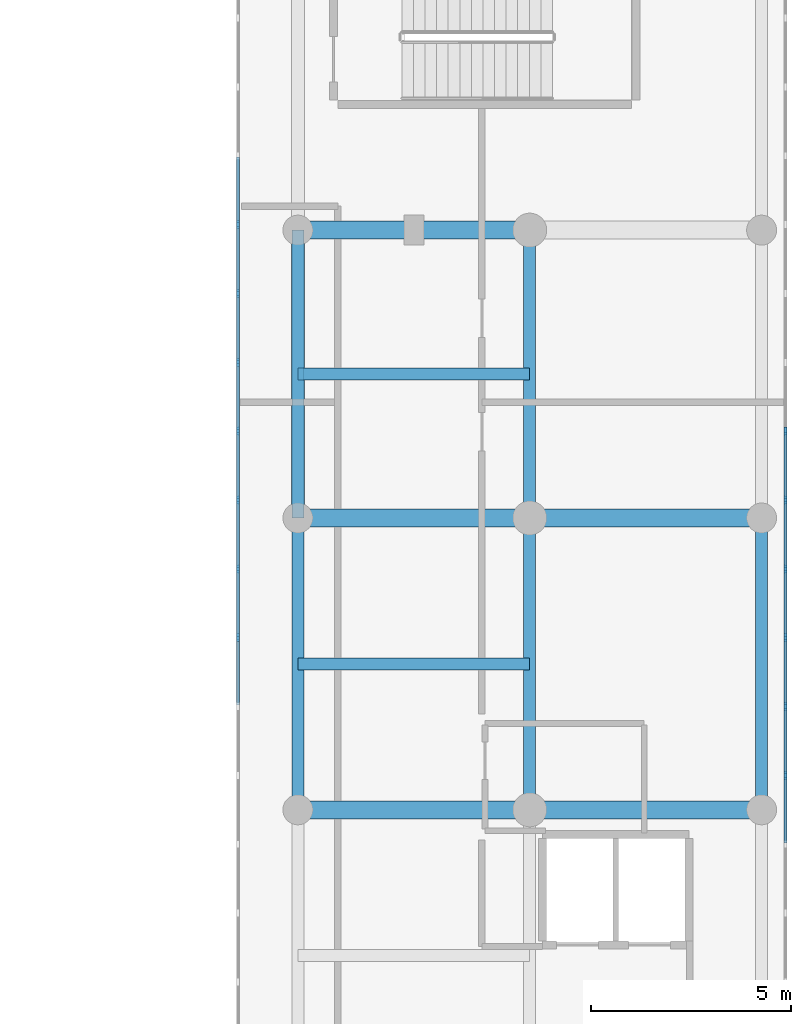
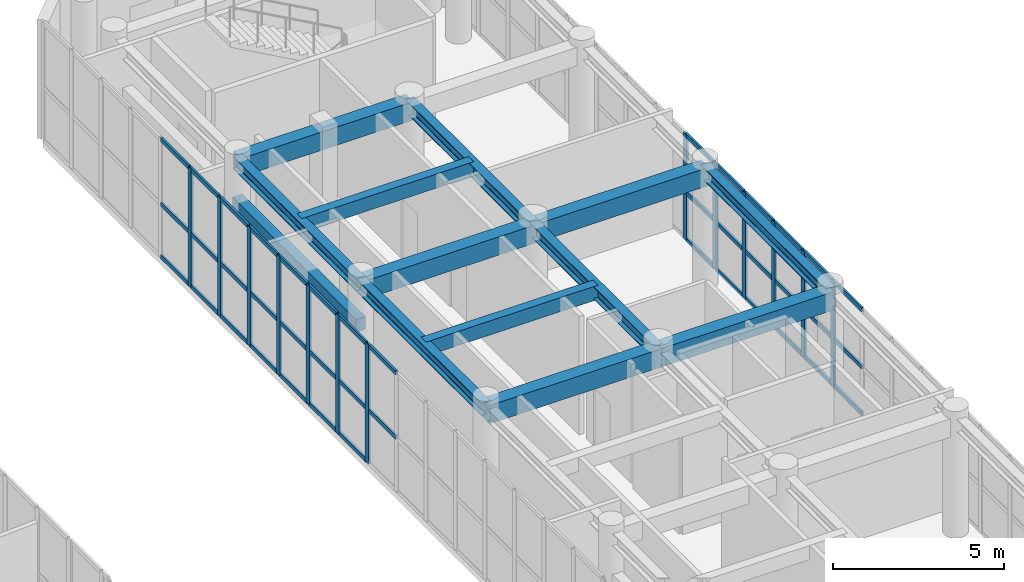
# One storey, part 7 of 24: 54 members, 13 beams, 2 elements without a shape of their own.
"""IFC4 building model written with IfcOpenShell, lengths in metres."""

from ifc_helpers import new_model, si_unit, direction, frame, origin, origin_with_axes, origin_2d, place, context, subcontext, project, spatial, rectangle, i_section, extrude, source, transform, mapped, material, layer, layer_set, material_profile, profile_set, type_object, element, aggregate, save


model = new_model("IFC4")

# Units and contexts
model_context = context("Model", 3, precision=1e-05, world=origin(), true_north=direction((0.0, 1.0)))
body_context = subcontext(model_context, "Body", "Model", "MODEL_VIEW")
ifc_project = project(units=[si_unit("LENGTHUNIT", "METRE"), si_unit("AREAUNIT", "SQUARE_METRE"), si_unit("VOLUMEUNIT", "CUBIC_METRE"), si_unit("PLANEANGLEUNIT", "RADIAN"), si_unit("MASSUNIT", "GRAM", prefix="KILO")], contexts=[model_context])

# Site, building, storey
site_placement = place(None, origin())
site = spatial("IfcSite", under=ifc_project, at=site_placement, CompositionType="ELEMENT")
building_placement = place(site_placement, origin())
building = spatial("IfcBuilding", under=site, at=building_placement, Name="Karkom Vertical University and Central Library", CompositionType="ELEMENT")
storey_placement = place(building_placement, frame((0.0, 0.0, 13.5)))
storey = spatial("IfcBuildingStorey", under=building, at=storey_placement, Name="L03", CompositionType="ELEMENT", Elevation=13.5)

# Beams
ifc_material_1 = material(Name="Concrete C40/50", Category="concrete")
ifc_material_profile_1 = material_profile(ifc_material_1, rectangle(XDim=0.449951171875, YDim=0.64990234375, at=origin_2d()), Name="RCB-450x650")
ifc_profile_set_1 = profile_set([ifc_material_profile_1], Name="Concrete C40/50")
beam_type_1 = type_object("IfcBeamType", Name="STR-BM-BG-4", PredefinedType="USERDEFINED", material=ifc_profile_set_1)
shared_shape_1 = source(origin_with_axes(), body_context, "Body", "SweptSolid", [
    extrude(rectangle(XDim=0.449951171875, YDim=0.64990234375, at=origin_2d()), origin(), (0.0, 0.0, 1.0), 5.7998046875),
])
for number, where, z_axis, x_axis, name in (
    (1, (69.60009765625, 26.5, 3.89990234375), (1.0, 0.0, 0.0), (0.0, 1.0, 0.0), "Level 03 Library Transverse Girder 4.1"),
    (2, (69.60009765625, 33.800048828125, 3.89990234375), (1.0, 0.0, 0.0), (0.0, 1.0, 0.0), "Level 03 Library Transverse Girder 5.1"),
    (3, (69.60009765625, 41.0, 3.89990234375), (1.0, 0.0, 0.0), (0.0, 1.0, 0.0), "Level 03 Library Transverse Girder 6.1"),
):
    element("IfcBeam", number, at=place(storey_placement, frame(where, z_axis=z_axis, x_axis=x_axis)), inside=storey, type_object=beam_type_1, Name=name, ObjectType="GIRDER", PredefinedType="USERDEFINED", context=body_context, shape_type="MappedRepresentation", body=[
        mapped(shared_shape_1, transform((0.0, 0.0, 0.0), scale=1.0)),
    ])
shared_shape_2 = source(origin_with_axes(), body_context, "Body", "SweptSolid", [
    extrude(rectangle(XDim=0.449951171875, YDim=0.64990234375, at=origin_2d()), origin(), (0.0, 0.0, 1.0), 5.800048828125),
])
for number, where, z_axis, x_axis, name in (
    (4, (75.39990234375, 26.5, 3.89990234375), (1.0, 0.0, 0.0), (0.0, 1.0, 0.0), "Level 03 Library Transverse Girder 4.2"),
    (5, (75.39990234375, 33.800048828125, 3.89990234375), (1.0, 0.0, 0.0), (0.0, 1.0, 0.0), "Level 03 Library Transverse Girder 5.2"),
):
    element("IfcBeam", number, at=place(storey_placement, frame(where, z_axis=z_axis, x_axis=x_axis)), inside=storey, type_object=beam_type_1, Name=name, ObjectType="GIRDER", PredefinedType="USERDEFINED", context=body_context, shape_type="MappedRepresentation", body=[
        mapped(shared_shape_2, transform((0.0, 0.0, 0.0), scale=1.0)),
    ])
ifc_material_2 = material(Name="Steel S355", Category="steel")
ifc_material_profile_2 = material_profile(ifc_material_2, i_section(OverallWidth=0.300048828125, OverallDepth=0.449951171875, WebThickness=0.013916015625, FlangeThickness=0.02587890625, FilletRadius=0.027099609375, at=origin_2d()), Name="HE 450 B")
ifc_profile_set_2 = profile_set([ifc_material_profile_2], Name="Steel S355")
beam_type_2 = type_object("IfcBeamType", Name="STR-BM-SB-HE450", PredefinedType="BEAM", material=ifc_profile_set_2)
shared_shape_3 = source(origin_with_axes(), body_context, "Body", "SweptSolid", [
    extrude(i_section(OverallWidth=0.300048828125, OverallDepth=0.449951171875, WebThickness=0.013916015625, FlangeThickness=0.02587890625, FilletRadius=0.027099609375, at=origin_2d()), origin(), (0.0, 0.0, 1.0), 7.199951171875),
])
for number, where, z_axis, x_axis, name in (
    (6, (69.60009765625, 33.800048828125, 4.0), (0.0, 1.0, 0.0), (-1.0, 0.0, 0.0), "Level 03 Library Longitudinal Beam 1.5"),
    (7, (75.39990234375, 33.800048828125, 4.0), (0.0, 1.0, 0.0), (-1.0, 0.0, 0.0), "Level 03 Library Longitudinal Beam 2.5"),
):
    element("IfcBeam", number, at=place(storey_placement, frame(where, z_axis=z_axis, x_axis=x_axis)), inside=storey, type_object=beam_type_2, Name=name, PredefinedType="BEAM", context=body_context, shape_type="MappedRepresentation", body=[
        mapped(shared_shape_3, transform((0.0, 0.0, 0.0), scale=1.0)),
    ])
shared_shape_4 = source(origin_with_axes(), body_context, "Body", "SweptSolid", [
    extrude(i_section(OverallWidth=0.300048828125, OverallDepth=0.449951171875, WebThickness=0.013916015625, FlangeThickness=0.02587890625, FilletRadius=0.027099609375, at=origin_2d()), origin(), (0.0, 0.0, 1.0), 7.300048828125),
])
for number, where, z_axis, x_axis, name in (
    (8, (69.60009765625, 26.5, 4.0), (0.0, 1.0, 0.0), (-1.0, 0.0, 0.0), "Level 03 Library Longitudinal Beam 1.4"),
    (9, (75.39990234375, 26.5, 4.0), (0.0, 1.0, 0.0), (-1.0, 0.0, 0.0), "Level 03 Library Longitudinal Beam 2.4"),
    (10, (81.199951171875, 26.5, 4.0), (0.0, 1.0, 0.0), (-1.0, 0.0, 0.0), "Level 03 Library Longitudinal Beam 3.4"),
):
    element("IfcBeam", number, at=place(storey_placement, frame(where, z_axis=z_axis, x_axis=x_axis)), inside=storey, type_object=beam_type_2, Name=name, PredefinedType="BEAM", context=body_context, shape_type="MappedRepresentation", body=[
        mapped(shared_shape_4, transform((0.0, 0.0, 0.0), scale=1.0)),
    ])
ifc_material_profile_3 = material_profile(ifc_material_1, rectangle(XDim=0.300048828125, YDim=0.5, at=origin_2d()), Name="RCJ-300x500")
ifc_profile_set_3 = profile_set([ifc_material_profile_3], Name="Concrete C40/50")
beam_type_3 = type_object("IfcBeamType", Name="STR-BM-JS-1", PredefinedType="JOIST", material=ifc_profile_set_3)
shared_shape_5 = source(origin_with_axes(), body_context, "Body", "SweptSolid", [
    extrude(rectangle(XDim=0.300048828125, YDim=0.5, at=origin_2d()), origin(), (0.0, 0.0, 1.0), 5.7998046875),
])
for number, where, z_axis, x_axis, name in (
    (11, (69.60009765625, 30.14990234375, 3.97509765625), (1.0, 0.0, 0.0), (0.0, 1.0, 0.0), "Level 03 Library Reading Coffered Joist 4"),
    (12, (69.60009765625, 37.39990234375, 3.97509765625), (1.0, 0.0, 0.0), (0.0, 1.0, 0.0), "Level 03 Library Reading Coffered Joist 5"),
):
    element("IfcBeam", number, at=place(storey_placement, frame(where, z_axis=z_axis, x_axis=x_axis)), inside=storey, type_object=beam_type_3, Name=name, PredefinedType="JOIST", context=body_context, shape_type="MappedRepresentation", body=[
        mapped(shared_shape_5, transform((0.0, 0.0, 0.0), scale=1.0)),
    ])
ifc_material_3 = material(Name="Precast concrete C45/55", Category="concrete")
ifc_material_profile_4 = material_profile(ifc_material_3, rectangle(XDim=0.320068359375, YDim=0.449951171875, at=origin_2d()), Name="RCL-320x450")
ifc_profile_set_4 = profile_set([ifc_material_profile_4], Name="Precast concrete C45/55")
beam_type_4 = type_object("IfcBeamType", Name="STR-BM-LN-1", PredefinedType="LINTEL", material=ifc_profile_set_4)
shared_shape_6 = source(origin_with_axes(), body_context, "Body", "SweptSolid", [
    extrude(rectangle(XDim=0.320068359375, YDim=0.449951171875, at=origin_2d()), origin(), (0.0, 0.0, 1.0), 7.199951171875),
])
beam_placement = place(storey_placement, frame((69.60009765625, 33.800048828125, 2.550048828125), z_axis=(0.0, 1.0, 0.0), x_axis=(-1.0, 0.0, 0.0)))
element("IfcBeam", 13, at=beam_placement, inside=storey, type_object=beam_type_4, Name="Level 03 Brutalist Concrete Portal Lintel 3", PredefinedType="LINTEL", context=body_context, shape_type="MappedRepresentation", body=[
    mapped(shared_shape_6, transform((0.0, 0.0, 0.0), scale=1.0)),
])

# Curtain wall, members
ifc_material_4 = material(Name="Aluminium curtain-wall framing and low-E IGU", Category="aluminium")
ifc_layer = layer(ifc_material_4, 0.199951171875)
ifc_layer_set = layer_set([ifc_layer], Name="Aluminium curtain-wall framing and low-E IGU")
curtain_wall_type = type_object("IfcCurtainWallType", Name="ENV-CW-1", PredefinedType="USERDEFINED", material=ifc_layer_set)
curtain_wall_1_placement = place(storey_placement, origin())
curtain_wall_1 = element("IfcCurtainWall", 14, at=curtain_wall_1_placement, inside=storey, type_object=curtain_wall_type, Name="Level 03 CW-1 Curtain Wall Level 03-CW-1-LIB-3", ObjectType="STICK MULLION GLAZING", PredefinedType="USERDEFINED")
ifc_material_5 = material(Name="Anodised Aluminium 6063-T6", Category="aluminium")
ifc_material_profile_5 = material_profile(ifc_material_5, rectangle(XDim=0.070068359375, YDim=0.199951171875, at=origin_2d()), Name="ALU-M70x200")
ifc_profile_set_5 = profile_set([ifc_material_profile_5], Name="Anodised Aluminium 6063-T6")
member_type_1 = type_object("IfcMemberType", Name="ENV-MEM-ALU-M70x200", PredefinedType="MULLION", material=ifc_profile_set_5)
shared_shape_7 = source(origin_with_axes(), body_context, "Body", "SweptSolid", [
    extrude(rectangle(XDim=0.070068359375, YDim=0.199951171875, at=origin_2d()), origin(), (0.0, 0.0, 1.0), 3.77490234375),
])
member_1_placement = place(storey_placement, frame((81.800048828125, 27.361083984375, 0.0), z_axis=(0.0, 0.0, 1.0), x_axis=(-1.0, 0.0, 0.0)))
member_1 = element("IfcMember", 15, at=member_1_placement, type_object=member_type_1, Name="CW-1 mullion 15", PredefinedType="MULLION", context=body_context, shape_type="MappedRepresentation", body=[
    mapped(shared_shape_7, transform((0.0, 0.0, 0.0), scale=1.0)),
])
member_2_placement = place(storey_placement, frame((81.800048828125, 29.083251953125, 0.0), z_axis=(0.0, 0.0, 1.0), x_axis=(-1.0, 0.0, 0.0)))
member_2 = element("IfcMember", 16, at=member_2_placement, type_object=member_type_1, Name="CW-1 mullion 16", PredefinedType="MULLION", context=body_context, shape_type="MappedRepresentation", body=[
    mapped(shared_shape_7, transform((0.0, 0.0, 0.0), scale=1.0)),
])
member_3_placement = place(storey_placement, frame((81.800048828125, 30.8056640625, 0.0), z_axis=(0.0, 0.0, 1.0), x_axis=(-1.0, 0.0, 0.0)))
member_3 = element("IfcMember", 17, at=member_3_placement, type_object=member_type_1, Name="CW-1 mullion 17", PredefinedType="MULLION", context=body_context, shape_type="MappedRepresentation", body=[
    mapped(shared_shape_7, transform((0.0, 0.0, 0.0), scale=1.0)),
])
member_4_placement = place(storey_placement, frame((81.800048828125, 32.52783203125, 0.0), z_axis=(0.0, 0.0, 1.0), x_axis=(-1.0, 0.0, 0.0)))
member_4 = element("IfcMember", 18, at=member_4_placement, type_object=member_type_1, Name="CW-1 mullion 18", PredefinedType="MULLION", context=body_context, shape_type="MappedRepresentation", body=[
    mapped(shared_shape_7, transform((0.0, 0.0, 0.0), scale=1.0)),
])
member_5_placement = place(storey_placement, frame((81.800048828125, 34.25, 0.0), z_axis=(0.0, 0.0, 1.0), x_axis=(-1.0, 0.0, 0.0)))
member_5 = element("IfcMember", 19, at=member_5_placement, type_object=member_type_1, Name="CW-1 mullion 19", PredefinedType="MULLION", context=body_context, shape_type="MappedRepresentation", body=[
    mapped(shared_shape_7, transform((0.0, 0.0, 0.0), scale=1.0)),
])
member_6_placement = place(storey_placement, frame((81.800048828125, 35.97216796875, 0.0), z_axis=(0.0, 0.0, 1.0), x_axis=(-1.0, 0.0, 0.0)))
member_6 = element("IfcMember", 20, at=member_6_placement, type_object=member_type_1, Name="CW-1 mullion 20", PredefinedType="MULLION", context=body_context, shape_type="MappedRepresentation", body=[
    mapped(shared_shape_7, transform((0.0, 0.0, 0.0), scale=1.0)),
])
ifc_material_profile_6 = material_profile(ifc_material_5, rectangle(XDim=0.070068359375, YDim=0.14990234375, at=origin_2d()), Name="ALU-T70x150")
ifc_profile_set_6 = profile_set([ifc_material_profile_6], Name="Anodised Aluminium 6063-T6")
member_type_2 = type_object("IfcMemberType", Name="ENV-MEM-ALU-T70x150", PredefinedType="USERDEFINED", material=ifc_profile_set_6)
shared_shape_8 = source(origin_with_axes(), body_context, "Body", "SweptSolid", [
    extrude(rectangle(XDim=0.070068359375, YDim=0.14990234375, at=origin_2d()), origin(), (0.0, 0.0, 1.0), 1.652099609375),
])
member_7_placement = place(storey_placement, frame((81.800048828125, 29.118408203125, 0.034912109375), z_axis=(0.0, 1.0, 0.0), x_axis=(-1.0, 0.0, 0.0)))
member_7 = element("IfcMember", 21, at=member_7_placement, type_object=member_type_2, Name="CW-1 transom 16.1", ObjectType="TRANSOM", PredefinedType="USERDEFINED", context=body_context, shape_type="MappedRepresentation", body=[
    mapped(shared_shape_8, transform((0.0, 0.0, 0.0), scale=1.0)),
])
member_8_placement = place(storey_placement, frame((81.800048828125, 29.118408203125, 1.69873046875), z_axis=(0.0, 1.0, 0.0), x_axis=(-1.0, 0.0, 0.0)))
member_8 = element("IfcMember", 22, at=member_8_placement, type_object=member_type_2, Name="CW-1 transom 16.2", ObjectType="TRANSOM", PredefinedType="USERDEFINED", context=body_context, shape_type="MappedRepresentation", body=[
    mapped(shared_shape_8, transform((0.0, 0.0, 0.0), scale=1.0)),
])
member_9_placement = place(storey_placement, frame((81.800048828125, 29.118408203125, 3.739990234375), z_axis=(0.0, 1.0, 0.0), x_axis=(-1.0, 0.0, 0.0)))
member_9 = element("IfcMember", 23, at=member_9_placement, type_object=member_type_2, Name="CW-1 transom 16.3", ObjectType="TRANSOM", PredefinedType="USERDEFINED", context=body_context, shape_type="MappedRepresentation", body=[
    mapped(shared_shape_8, transform((0.0, 0.0, 0.0), scale=1.0)),
])
member_10_placement = place(storey_placement, frame((81.800048828125, 30.840576171875, 0.034912109375), z_axis=(0.0, 1.0, 0.0), x_axis=(-1.0, 0.0, 0.0)))
member_10 = element("IfcMember", 24, at=member_10_placement, type_object=member_type_2, Name="CW-1 transom 17.1", ObjectType="TRANSOM", PredefinedType="USERDEFINED", context=body_context, shape_type="MappedRepresentation", body=[
    mapped(shared_shape_8, transform((0.0, 0.0, 0.0), scale=1.0)),
])
member_11_placement = place(storey_placement, frame((81.800048828125, 30.840576171875, 1.69873046875), z_axis=(0.0, 1.0, 0.0), x_axis=(-1.0, 0.0, 0.0)))
member_11 = element("IfcMember", 25, at=member_11_placement, type_object=member_type_2, Name="CW-1 transom 17.2", ObjectType="TRANSOM", PredefinedType="USERDEFINED", context=body_context, shape_type="MappedRepresentation", body=[
    mapped(shared_shape_8, transform((0.0, 0.0, 0.0), scale=1.0)),
])
member_12_placement = place(storey_placement, frame((81.800048828125, 30.840576171875, 3.739990234375), z_axis=(0.0, 1.0, 0.0), x_axis=(-1.0, 0.0, 0.0)))
member_12 = element("IfcMember", 26, at=member_12_placement, type_object=member_type_2, Name="CW-1 transom 17.3", ObjectType="TRANSOM", PredefinedType="USERDEFINED", context=body_context, shape_type="MappedRepresentation", body=[
    mapped(shared_shape_8, transform((0.0, 0.0, 0.0), scale=1.0)),
])

curtain_wall_2_placement = place(storey_placement, origin())
curtain_wall_2 = element("IfcCurtainWall", 27, at=curtain_wall_2_placement, inside=storey, type_object=curtain_wall_type, Name="Level 03 CW-1 Curtain Wall Level 03-CW-1-LIB-7", ObjectType="STICK MULLION GLAZING", PredefinedType="USERDEFINED")
member_13_placement = place(storey_placement, frame((68.10009765625, 39.381591796875, 0.034912109375), z_axis=(0.0, -1.0, 0.0), x_axis=(1.0, 0.0, 0.0)))
member_13 = element("IfcMember", 28, at=member_13_placement, type_object=member_type_2, Name="CW-1 transom 7.1", ObjectType="TRANSOM", PredefinedType="USERDEFINED", context=body_context, shape_type="MappedRepresentation", body=[
    mapped(shared_shape_8, transform((0.0, 0.0, 0.0), scale=1.0)),
])
member_14_placement = place(storey_placement, frame((68.10009765625, 39.381591796875, 1.901123046875), z_axis=(0.0, -1.0, 0.0), x_axis=(1.0, 0.0, 0.0)))
member_14 = element("IfcMember", 29, at=member_14_placement, type_object=member_type_2, Name="CW-1 transom 7.2", ObjectType="TRANSOM", PredefinedType="USERDEFINED", context=body_context, shape_type="MappedRepresentation", body=[
    mapped(shared_shape_8, transform((0.0, 0.0, 0.0), scale=1.0)),
])
member_15_placement = place(storey_placement, frame((68.10009765625, 39.381591796875, 4.18994140625), z_axis=(0.0, -1.0, 0.0), x_axis=(1.0, 0.0, 0.0)))
member_15 = element("IfcMember", 30, at=member_15_placement, type_object=member_type_2, Name="CW-1 transom 7.3", ObjectType="TRANSOM", PredefinedType="USERDEFINED", context=body_context, shape_type="MappedRepresentation", body=[
    mapped(shared_shape_8, transform((0.0, 0.0, 0.0), scale=1.0)),
])
member_16_placement = place(storey_placement, frame((68.10009765625, 37.659423828125, 0.034912109375), z_axis=(0.0, -1.0, 0.0), x_axis=(1.0, 0.0, 0.0)))
member_16 = element("IfcMember", 31, at=member_16_placement, type_object=member_type_2, Name="CW-1 transom 8.1", ObjectType="TRANSOM", PredefinedType="USERDEFINED", context=body_context, shape_type="MappedRepresentation", body=[
    mapped(shared_shape_8, transform((0.0, 0.0, 0.0), scale=1.0)),
])
member_17_placement = place(storey_placement, frame((68.10009765625, 37.659423828125, 1.901123046875), z_axis=(0.0, -1.0, 0.0), x_axis=(1.0, 0.0, 0.0)))
member_17 = element("IfcMember", 32, at=member_17_placement, type_object=member_type_2, Name="CW-1 transom 8.2", ObjectType="TRANSOM", PredefinedType="USERDEFINED", context=body_context, shape_type="MappedRepresentation", body=[
    mapped(shared_shape_8, transform((0.0, 0.0, 0.0), scale=1.0)),
])
member_18_placement = place(storey_placement, frame((68.10009765625, 37.659423828125, 4.18994140625), z_axis=(0.0, -1.0, 0.0), x_axis=(1.0, 0.0, 0.0)))
member_18 = element("IfcMember", 33, at=member_18_placement, type_object=member_type_2, Name="CW-1 transom 8.3", ObjectType="TRANSOM", PredefinedType="USERDEFINED", context=body_context, shape_type="MappedRepresentation", body=[
    mapped(shared_shape_8, transform((0.0, 0.0, 0.0), scale=1.0)),
])
member_19_placement = place(storey_placement, frame((68.10009765625, 32.49267578125, 0.034912109375), z_axis=(0.0, -1.0, 0.0), x_axis=(1.0, 0.0, 0.0)))
member_19 = element("IfcMember", 34, at=member_19_placement, type_object=member_type_2, Name="CW-1 transom 11.1", ObjectType="TRANSOM", PredefinedType="USERDEFINED", context=body_context, shape_type="MappedRepresentation", body=[
    mapped(shared_shape_8, transform((0.0, 0.0, 0.0), scale=1.0)),
])
member_20_placement = place(storey_placement, frame((68.10009765625, 32.49267578125, 1.901123046875), z_axis=(0.0, -1.0, 0.0), x_axis=(1.0, 0.0, 0.0)))
member_20 = element("IfcMember", 35, at=member_20_placement, type_object=member_type_2, Name="CW-1 transom 11.2", ObjectType="TRANSOM", PredefinedType="USERDEFINED", context=body_context, shape_type="MappedRepresentation", body=[
    mapped(shared_shape_8, transform((0.0, 0.0, 0.0), scale=1.0)),
])
member_21_placement = place(storey_placement, frame((68.10009765625, 32.49267578125, 4.18994140625), z_axis=(0.0, -1.0, 0.0), x_axis=(1.0, 0.0, 0.0)))
member_21 = element("IfcMember", 36, at=member_21_placement, type_object=member_type_2, Name="CW-1 transom 11.3", ObjectType="TRANSOM", PredefinedType="USERDEFINED", context=body_context, shape_type="MappedRepresentation", body=[
    mapped(shared_shape_8, transform((0.0, 0.0, 0.0), scale=1.0)),
])
member_22_placement = place(storey_placement, frame((68.10009765625, 30.7705078125, 1.901123046875), z_axis=(0.0, -1.0, 0.0), x_axis=(1.0, 0.0, 0.0)))
member_22 = element("IfcMember", 37, at=member_22_placement, type_object=member_type_2, Name="CW-1 transom 12.2", ObjectType="TRANSOM", PredefinedType="USERDEFINED", context=body_context, shape_type="MappedRepresentation", body=[
    mapped(shared_shape_8, transform((0.0, 0.0, 0.0), scale=1.0)),
])
member_23_placement = place(storey_placement, frame((68.10009765625, 30.7705078125, 4.18994140625), z_axis=(0.0, -1.0, 0.0), x_axis=(1.0, 0.0, 0.0)))
member_23 = element("IfcMember", 38, at=member_23_placement, type_object=member_type_2, Name="CW-1 transom 12.3", ObjectType="TRANSOM", PredefinedType="USERDEFINED", context=body_context, shape_type="MappedRepresentation", body=[
    mapped(shared_shape_8, transform((0.0, 0.0, 0.0), scale=1.0)),
])

# Member
shared_shape_9 = source(origin_with_axes(), body_context, "Body", "SweptSolid", [
    extrude(rectangle(XDim=0.070068359375, YDim=0.14990234375, at=origin_2d()), origin(), (0.0, 0.0, 1.0), 1.65234375),
])
member_24_placement = place(storey_placement, frame((81.800048828125, 25.673828125, 0.034912109375), z_axis=(0.0, 1.0, 0.0), x_axis=(-1.0, 0.0, 0.0)))
member_24 = element("IfcMember", 39, at=member_24_placement, type_object=member_type_2, Name="CW-1 transom 14.1", ObjectType="TRANSOM", PredefinedType="USERDEFINED", context=body_context, shape_type="MappedRepresentation", body=[
    mapped(shared_shape_9, transform((0.0, 0.0, 0.0), scale=1.0)),
])

member_25_placement = place(storey_placement, frame((81.800048828125, 25.673828125, 1.69873046875), z_axis=(0.0, 1.0, 0.0), x_axis=(-1.0, 0.0, 0.0)))
member_25 = element("IfcMember", 40, at=member_25_placement, type_object=member_type_2, Name="CW-1 transom 14.2", ObjectType="TRANSOM", PredefinedType="USERDEFINED", context=body_context, shape_type="MappedRepresentation", body=[
    mapped(shared_shape_9, transform((0.0, 0.0, 0.0), scale=1.0)),
])

member_26_placement = place(storey_placement, frame((81.800048828125, 25.673828125, 3.739990234375), z_axis=(0.0, 1.0, 0.0), x_axis=(-1.0, 0.0, 0.0)))
member_26 = element("IfcMember", 41, at=member_26_placement, type_object=member_type_2, Name="CW-1 transom 14.3", ObjectType="TRANSOM", PredefinedType="USERDEFINED", context=body_context, shape_type="MappedRepresentation", body=[
    mapped(shared_shape_9, transform((0.0, 0.0, 0.0), scale=1.0)),
])

member_27_placement = place(storey_placement, frame((81.800048828125, 27.39599609375, 0.034912109375), z_axis=(0.0, 1.0, 0.0), x_axis=(-1.0, 0.0, 0.0)))
member_27 = element("IfcMember", 42, at=member_27_placement, type_object=member_type_2, Name="CW-1 transom 15.1", ObjectType="TRANSOM", PredefinedType="USERDEFINED", context=body_context, shape_type="MappedRepresentation", body=[
    mapped(shared_shape_9, transform((0.0, 0.0, 0.0), scale=1.0)),
])

member_28_placement = place(storey_placement, frame((81.800048828125, 27.39599609375, 1.69873046875), z_axis=(0.0, 1.0, 0.0), x_axis=(-1.0, 0.0, 0.0)))
member_28 = element("IfcMember", 43, at=member_28_placement, type_object=member_type_2, Name="CW-1 transom 15.2", ObjectType="TRANSOM", PredefinedType="USERDEFINED", context=body_context, shape_type="MappedRepresentation", body=[
    mapped(shared_shape_9, transform((0.0, 0.0, 0.0), scale=1.0)),
])

member_29_placement = place(storey_placement, frame((81.800048828125, 27.39599609375, 3.739990234375), z_axis=(0.0, 1.0, 0.0), x_axis=(-1.0, 0.0, 0.0)))
member_29 = element("IfcMember", 44, at=member_29_placement, type_object=member_type_2, Name="CW-1 transom 15.3", ObjectType="TRANSOM", PredefinedType="USERDEFINED", context=body_context, shape_type="MappedRepresentation", body=[
    mapped(shared_shape_9, transform((0.0, 0.0, 0.0), scale=1.0)),
])

member_30_placement = place(storey_placement, frame((81.800048828125, 32.562744140625, 0.034912109375), z_axis=(0.0, 1.0, 0.0), x_axis=(-1.0, 0.0, 0.0)))
member_30 = element("IfcMember", 45, at=member_30_placement, type_object=member_type_2, Name="CW-1 transom 18.1", ObjectType="TRANSOM", PredefinedType="USERDEFINED", context=body_context, shape_type="MappedRepresentation", body=[
    mapped(shared_shape_9, transform((0.0, 0.0, 0.0), scale=1.0)),
])

member_31_placement = place(storey_placement, frame((81.800048828125, 32.562744140625, 1.69873046875), z_axis=(0.0, 1.0, 0.0), x_axis=(-1.0, 0.0, 0.0)))
member_31 = element("IfcMember", 46, at=member_31_placement, type_object=member_type_2, Name="CW-1 transom 18.2", ObjectType="TRANSOM", PredefinedType="USERDEFINED", context=body_context, shape_type="MappedRepresentation", body=[
    mapped(shared_shape_9, transform((0.0, 0.0, 0.0), scale=1.0)),
])

member_32_placement = place(storey_placement, frame((81.800048828125, 32.562744140625, 3.739990234375), z_axis=(0.0, 1.0, 0.0), x_axis=(-1.0, 0.0, 0.0)))
member_32 = element("IfcMember", 47, at=member_32_placement, type_object=member_type_2, Name="CW-1 transom 18.3", ObjectType="TRANSOM", PredefinedType="USERDEFINED", context=body_context, shape_type="MappedRepresentation", body=[
    mapped(shared_shape_9, transform((0.0, 0.0, 0.0), scale=1.0)),
])

member_33_placement = place(storey_placement, frame((81.800048828125, 34.284912109375, 0.034912109375), z_axis=(0.0, 1.0, 0.0), x_axis=(-1.0, 0.0, 0.0)))
member_33 = element("IfcMember", 48, at=member_33_placement, type_object=member_type_2, Name="CW-1 transom 19.1", ObjectType="TRANSOM", PredefinedType="USERDEFINED", context=body_context, shape_type="MappedRepresentation", body=[
    mapped(shared_shape_9, transform((0.0, 0.0, 0.0), scale=1.0)),
])

member_34_placement = place(storey_placement, frame((81.800048828125, 34.284912109375, 1.69873046875), z_axis=(0.0, 1.0, 0.0), x_axis=(-1.0, 0.0, 0.0)))
member_34 = element("IfcMember", 49, at=member_34_placement, type_object=member_type_2, Name="CW-1 transom 19.2", ObjectType="TRANSOM", PredefinedType="USERDEFINED", context=body_context, shape_type="MappedRepresentation", body=[
    mapped(shared_shape_9, transform((0.0, 0.0, 0.0), scale=1.0)),
])

member_35_placement = place(storey_placement, frame((81.800048828125, 34.284912109375, 3.739990234375), z_axis=(0.0, 1.0, 0.0), x_axis=(-1.0, 0.0, 0.0)))
member_35 = element("IfcMember", 50, at=member_35_placement, type_object=member_type_2, Name="CW-1 transom 19.3", ObjectType="TRANSOM", PredefinedType="USERDEFINED", context=body_context, shape_type="MappedRepresentation", body=[
    mapped(shared_shape_9, transform((0.0, 0.0, 0.0), scale=1.0)),
])

aggregate(curtain_wall_1, [member_1, member_2, member_3, member_4, member_5, member_6, member_24, member_25, member_26, member_27, member_28, member_29, member_7, member_8, member_9, member_10, member_11, member_12, member_30, member_31, member_32, member_33, member_34, member_35])

member_36_placement = place(storey_placement, frame((68.10009765625, 42.826171875, 0.034912109375), z_axis=(0.0, -1.0, 0.0), x_axis=(1.0, 0.0, 0.0)))
member_36 = element("IfcMember", 51, at=member_36_placement, type_object=member_type_2, Name="CW-1 transom 5.1", ObjectType="TRANSOM", PredefinedType="USERDEFINED", context=body_context, shape_type="MappedRepresentation", body=[
    mapped(shared_shape_9, transform((0.0, 0.0, 0.0), scale=1.0)),
])

member_37_placement = place(storey_placement, frame((68.10009765625, 42.826171875, 1.901123046875), z_axis=(0.0, -1.0, 0.0), x_axis=(1.0, 0.0, 0.0)))
member_37 = element("IfcMember", 52, at=member_37_placement, type_object=member_type_2, Name="CW-1 transom 5.2", ObjectType="TRANSOM", PredefinedType="USERDEFINED", context=body_context, shape_type="MappedRepresentation", body=[
    mapped(shared_shape_9, transform((0.0, 0.0, 0.0), scale=1.0)),
])

member_38_placement = place(storey_placement, frame((68.10009765625, 42.826171875, 4.18994140625), z_axis=(0.0, -1.0, 0.0), x_axis=(1.0, 0.0, 0.0)))
member_38 = element("IfcMember", 53, at=member_38_placement, type_object=member_type_2, Name="CW-1 transom 5.3", ObjectType="TRANSOM", PredefinedType="USERDEFINED", context=body_context, shape_type="MappedRepresentation", body=[
    mapped(shared_shape_9, transform((0.0, 0.0, 0.0), scale=1.0)),
])

member_39_placement = place(storey_placement, frame((68.10009765625, 41.10400390625, 0.034912109375), z_axis=(0.0, -1.0, 0.0), x_axis=(1.0, 0.0, 0.0)))
member_39 = element("IfcMember", 54, at=member_39_placement, type_object=member_type_2, Name="CW-1 transom 6.1", ObjectType="TRANSOM", PredefinedType="USERDEFINED", context=body_context, shape_type="MappedRepresentation", body=[
    mapped(shared_shape_9, transform((0.0, 0.0, 0.0), scale=1.0)),
])

member_40_placement = place(storey_placement, frame((68.10009765625, 41.10400390625, 1.901123046875), z_axis=(0.0, -1.0, 0.0), x_axis=(1.0, 0.0, 0.0)))
member_40 = element("IfcMember", 55, at=member_40_placement, type_object=member_type_2, Name="CW-1 transom 6.2", ObjectType="TRANSOM", PredefinedType="USERDEFINED", context=body_context, shape_type="MappedRepresentation", body=[
    mapped(shared_shape_9, transform((0.0, 0.0, 0.0), scale=1.0)),
])

member_41_placement = place(storey_placement, frame((68.10009765625, 41.10400390625, 4.18994140625), z_axis=(0.0, -1.0, 0.0), x_axis=(1.0, 0.0, 0.0)))
member_41 = element("IfcMember", 56, at=member_41_placement, type_object=member_type_2, Name="CW-1 transom 6.3", ObjectType="TRANSOM", PredefinedType="USERDEFINED", context=body_context, shape_type="MappedRepresentation", body=[
    mapped(shared_shape_9, transform((0.0, 0.0, 0.0), scale=1.0)),
])

member_42_placement = place(storey_placement, frame((68.10009765625, 35.937255859375, 0.034912109375), z_axis=(0.0, -1.0, 0.0), x_axis=(1.0, 0.0, 0.0)))
member_42 = element("IfcMember", 57, at=member_42_placement, type_object=member_type_2, Name="CW-1 transom 9.1", ObjectType="TRANSOM", PredefinedType="USERDEFINED", context=body_context, shape_type="MappedRepresentation", body=[
    mapped(shared_shape_9, transform((0.0, 0.0, 0.0), scale=1.0)),
])

member_43_placement = place(storey_placement, frame((68.10009765625, 35.937255859375, 1.901123046875), z_axis=(0.0, -1.0, 0.0), x_axis=(1.0, 0.0, 0.0)))
member_43 = element("IfcMember", 58, at=member_43_placement, type_object=member_type_2, Name="CW-1 transom 9.2", ObjectType="TRANSOM", PredefinedType="USERDEFINED", context=body_context, shape_type="MappedRepresentation", body=[
    mapped(shared_shape_9, transform((0.0, 0.0, 0.0), scale=1.0)),
])

member_44_placement = place(storey_placement, frame((68.10009765625, 35.937255859375, 4.18994140625), z_axis=(0.0, -1.0, 0.0), x_axis=(1.0, 0.0, 0.0)))
member_44 = element("IfcMember", 59, at=member_44_placement, type_object=member_type_2, Name="CW-1 transom 9.3", ObjectType="TRANSOM", PredefinedType="USERDEFINED", context=body_context, shape_type="MappedRepresentation", body=[
    mapped(shared_shape_9, transform((0.0, 0.0, 0.0), scale=1.0)),
])

member_45_placement = place(storey_placement, frame((68.10009765625, 34.215087890625, 0.034912109375), z_axis=(0.0, -1.0, 0.0), x_axis=(1.0, 0.0, 0.0)))
member_45 = element("IfcMember", 60, at=member_45_placement, type_object=member_type_2, Name="CW-1 transom 10.1", ObjectType="TRANSOM", PredefinedType="USERDEFINED", context=body_context, shape_type="MappedRepresentation", body=[
    mapped(shared_shape_9, transform((0.0, 0.0, 0.0), scale=1.0)),
])

member_46_placement = place(storey_placement, frame((68.10009765625, 34.215087890625, 1.901123046875), z_axis=(0.0, -1.0, 0.0), x_axis=(1.0, 0.0, 0.0)))
member_46 = element("IfcMember", 61, at=member_46_placement, type_object=member_type_2, Name="CW-1 transom 10.2", ObjectType="TRANSOM", PredefinedType="USERDEFINED", context=body_context, shape_type="MappedRepresentation", body=[
    mapped(shared_shape_9, transform((0.0, 0.0, 0.0), scale=1.0)),
])

member_47_placement = place(storey_placement, frame((68.10009765625, 34.215087890625, 4.18994140625), z_axis=(0.0, -1.0, 0.0), x_axis=(1.0, 0.0, 0.0)))
member_47 = element("IfcMember", 62, at=member_47_placement, type_object=member_type_2, Name="CW-1 transom 10.3", ObjectType="TRANSOM", PredefinedType="USERDEFINED", context=body_context, shape_type="MappedRepresentation", body=[
    mapped(shared_shape_9, transform((0.0, 0.0, 0.0), scale=1.0)),
])

shared_shape_10 = source(origin_with_axes(), body_context, "Body", "SweptSolid", [
    extrude(rectangle(XDim=0.070068359375, YDim=0.199951171875, at=origin_2d()), origin(), (0.0, 0.0, 1.0), 4.22509765625),
])
member_48_placement = place(storey_placement, frame((68.10009765625, 41.138916015625, 0.0), z_axis=(0.0, 0.0, 1.0), x_axis=(1.0, 0.0, 0.0)))
member_48 = element("IfcMember", 63, at=member_48_placement, type_object=member_type_1, Name="CW-1 mullion 6", PredefinedType="MULLION", context=body_context, shape_type="MappedRepresentation", body=[
    mapped(shared_shape_10, transform((0.0, 0.0, 0.0), scale=1.0)),
])

member_49_placement = place(storey_placement, frame((68.10009765625, 39.416748046875, 0.0), z_axis=(0.0, 0.0, 1.0), x_axis=(1.0, 0.0, 0.0)))
member_49 = element("IfcMember", 64, at=member_49_placement, type_object=member_type_1, Name="CW-1 mullion 7", PredefinedType="MULLION", context=body_context, shape_type="MappedRepresentation", body=[
    mapped(shared_shape_10, transform((0.0, 0.0, 0.0), scale=1.0)),
])

member_50_placement = place(storey_placement, frame((68.10009765625, 37.6943359375, 0.0), z_axis=(0.0, 0.0, 1.0), x_axis=(1.0, 0.0, 0.0)))
member_50 = element("IfcMember", 65, at=member_50_placement, type_object=member_type_1, Name="CW-1 mullion 8", PredefinedType="MULLION", context=body_context, shape_type="MappedRepresentation", body=[
    mapped(shared_shape_10, transform((0.0, 0.0, 0.0), scale=1.0)),
])

member_51_placement = place(storey_placement, frame((68.10009765625, 35.97216796875, 0.0), z_axis=(0.0, 0.0, 1.0), x_axis=(1.0, 0.0, 0.0)))
member_51 = element("IfcMember", 66, at=member_51_placement, type_object=member_type_1, Name="CW-1 mullion 9", PredefinedType="MULLION", context=body_context, shape_type="MappedRepresentation", body=[
    mapped(shared_shape_10, transform((0.0, 0.0, 0.0), scale=1.0)),
])

member_52_placement = place(storey_placement, frame((68.10009765625, 34.25, 0.0), z_axis=(0.0, 0.0, 1.0), x_axis=(1.0, 0.0, 0.0)))
member_52 = element("IfcMember", 67, at=member_52_placement, type_object=member_type_1, Name="CW-1 mullion 10", PredefinedType="MULLION", context=body_context, shape_type="MappedRepresentation", body=[
    mapped(shared_shape_10, transform((0.0, 0.0, 0.0), scale=1.0)),
])

member_53_placement = place(storey_placement, frame((68.10009765625, 32.52783203125, 0.0), z_axis=(0.0, 0.0, 1.0), x_axis=(1.0, 0.0, 0.0)))
member_53 = element("IfcMember", 68, at=member_53_placement, type_object=member_type_1, Name="CW-1 mullion 11", PredefinedType="MULLION", context=body_context, shape_type="MappedRepresentation", body=[
    mapped(shared_shape_10, transform((0.0, 0.0, 0.0), scale=1.0)),
])

member_54_placement = place(storey_placement, frame((68.10009765625, 30.8056640625, 0.0), z_axis=(0.0, 0.0, 1.0), x_axis=(1.0, 0.0, 0.0)))
member_54 = element("IfcMember", 69, at=member_54_placement, type_object=member_type_1, Name="CW-1 mullion 12", PredefinedType="MULLION", context=body_context, shape_type="MappedRepresentation", body=[
    mapped(shared_shape_10, transform((0.0, 0.0, 0.0), scale=1.0)),
])

aggregate(curtain_wall_2, [member_48, member_49, member_50, member_51, member_52, member_53, member_54, member_36, member_37, member_38, member_39, member_40, member_41, member_13, member_14, member_15, member_16, member_17, member_18, member_42, member_43, member_44, member_45, member_46, member_47, member_19, member_20, member_21, member_22, member_23])

save(model, "model.ifc")
